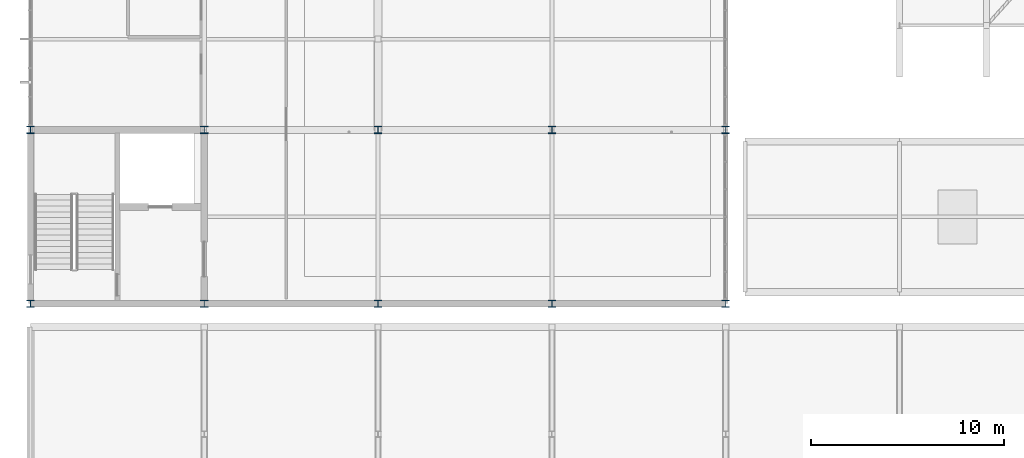
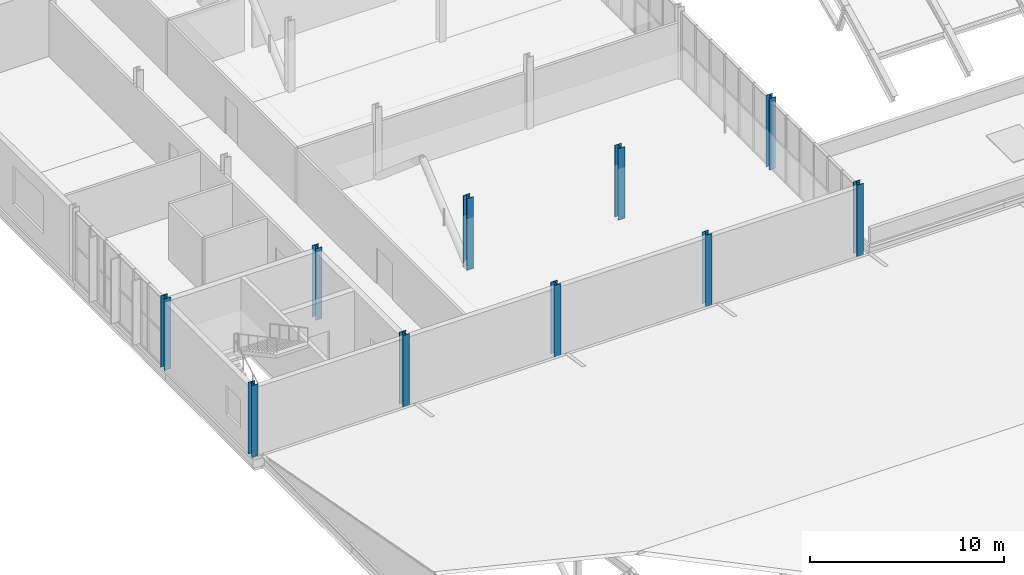
# One storey, part 1 of 103: 10 columns.
"""IFC4 building model written with IfcOpenShell, lengths in metres."""

from ifc_helpers import new_model, si_unit, direction, frame, origin, origin_2d, place, context, subcontext, project, spatial, i_section, extrude, material, material_profile, profile_set, type_object, element, save


model = new_model("IFC4")

# Units and contexts
model_context = context("Model", 3, precision=1e-05, world=origin(), true_north=direction((0.0, 1.0)))
body_context = subcontext(model_context, "Body", "Model", "MODEL_VIEW")
ifc_project = project(units=[si_unit("LENGTHUNIT", "METRE"), si_unit("AREAUNIT", "SQUARE_METRE"), si_unit("VOLUMEUNIT", "CUBIC_METRE"), si_unit("PLANEANGLEUNIT", "RADIAN"), si_unit("MASSUNIT", "GRAM", prefix="KILO")], contexts=[model_context])

# Site, building, storey
site_placement = place(None, origin())
site = spatial("IfcSite", under=ifc_project, at=site_placement, CompositionType="ELEMENT")
building_placement = place(site_placement, origin())
building = spatial("IfcBuilding", under=site, at=building_placement, Name="Cazmaro Siding Exhibition Halls", CompositionType="ELEMENT")
storey_placement = place(building_placement, frame((0.0, 0.0, 16.5)))
storey = spatial("IfcBuildingStorey", under=building, at=storey_placement, Name="L03", CompositionType="ELEMENT", Elevation=16.5)

# Columns
ifc_material = material(Name="Steel ASTM A992 Grade 50", Category="steel")
ifc_material_profile = material_profile(ifc_material, i_section(OverallWidth=0.39208984375, OverallDepth=0.3759765625, WebThickness=0.01708984375, FlangeThickness=0.028076171875, at=origin_2d()), Name="W14X145")
ifc_profile_set = profile_set([ifc_material_profile], Name="Steel ASTM A992 Grade 50")
column_type = type_object("IfcColumnType", Name="C-03", PredefinedType="COLUMN", material=ifc_profile_set)
for number, where, z_axis, x_axis, name in (
    (1, (0.0, 54.60009765625, 0.0), (0.0, 0.0, 1.0), (1.0, 0.0, 0.0), "Column C-03 COL-0884"),
    (2, (0.0, 63.60009765625, 0.0), (0.0, 0.0, 1.0), (1.0, 0.0, 0.0), "Column C-03 COL-0889"),
    (3, (9.0, 54.60009765625, 0.0), (0.0, 0.0, 1.0), (1.0, 0.0, 0.0), "Column C-03 COL-0924"),
    (4, (9.0, 63.60009765625, 0.0), (0.0, 0.0, 1.0), (1.0, 0.0, 0.0), "Column C-03 COL-0929"),
    (5, (18.0, 54.60009765625, 0.0), (0.0, 0.0, 1.0), (1.0, 0.0, 0.0), "Column C-03 COL-0964"),
    (6, (18.0, 63.60009765625, 0.0), (0.0, 0.0, 1.0), (1.0, 0.0, 0.0), "Column C-03 COL-0969"),
    (7, (27.0, 54.60009765625, 0.0), (0.0, 0.0, 1.0), (1.0, 0.0, 0.0), "Column C-03 COL-1004"),
    (8, (27.0, 63.60009765625, 0.0), (0.0, 0.0, 1.0), (1.0, 0.0, 0.0), "Column C-03 COL-1009"),
    (9, (36.0, 54.60009765625, 0.0), (0.0, 0.0, 1.0), (1.0, 0.0, 0.0), "Column C-03 COL-1044"),
    (10, (36.0, 63.60009765625, 0.0), (0.0, 0.0, 1.0), (1.0, 0.0, 0.0), "Column C-03 COL-1048"),
):
    element("IfcColumn", number, at=place(storey_placement, frame(where, z_axis=z_axis, x_axis=x_axis)), inside=storey, type_object=column_type, Name=name, PredefinedType="COLUMN", context=body_context, shape_type="SweptSolid", body=[
        extrude(i_section(OverallWidth=0.39208984375, OverallDepth=0.3759765625, WebThickness=0.01708984375, FlangeThickness=0.028076171875, at=origin_2d()), origin(), (0.0, 0.0, 1.0), 4.5),
    ])

save(model, "model.ifc")
